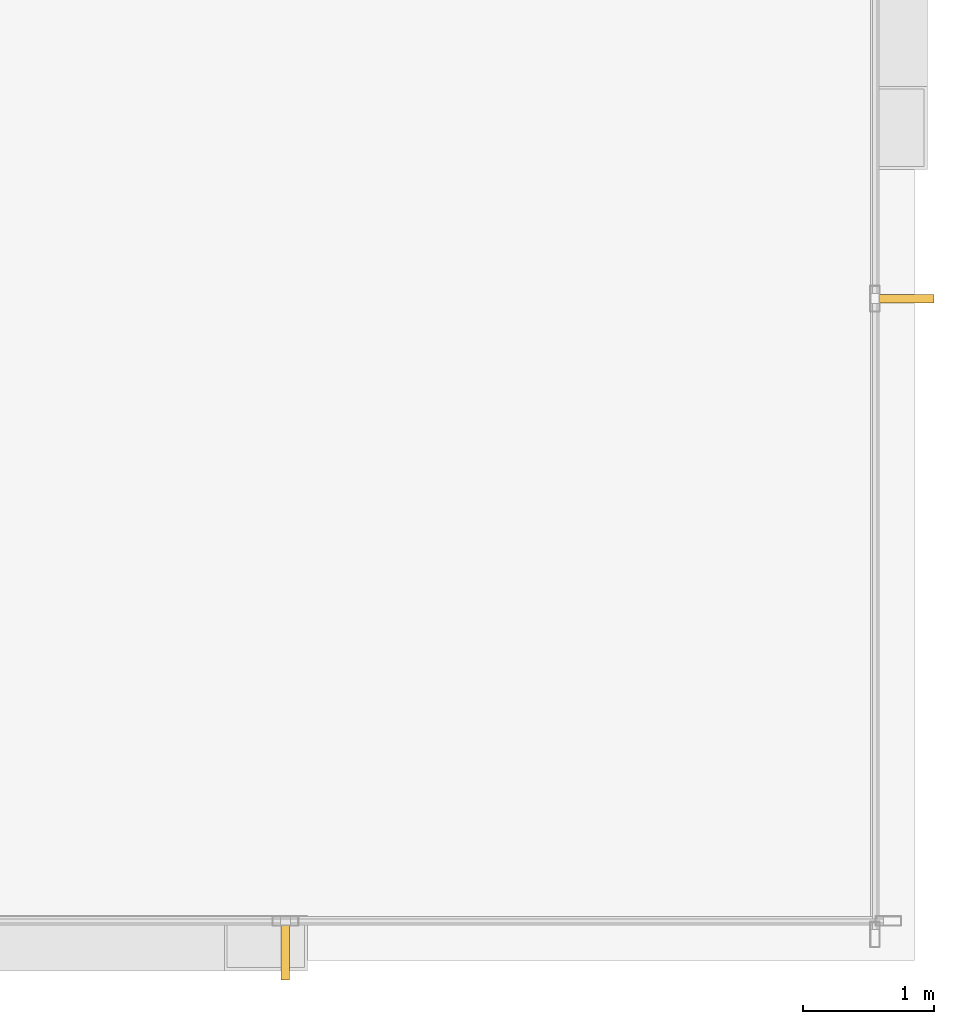
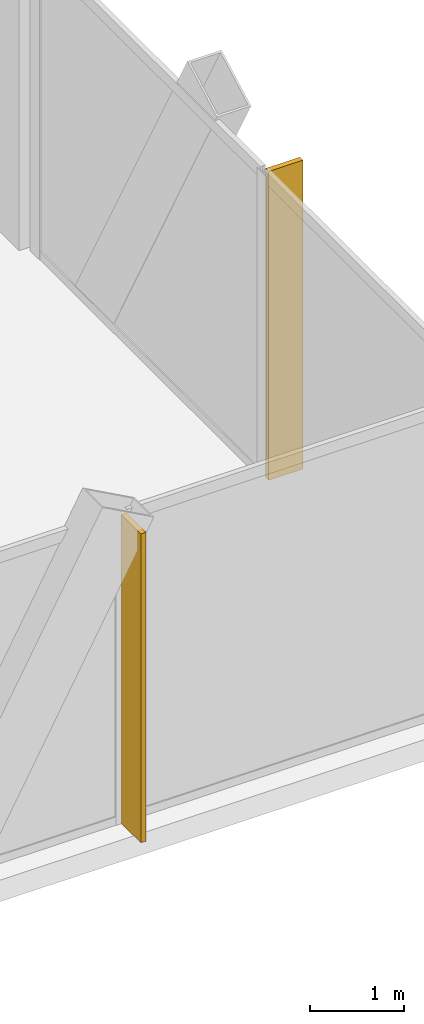
# One storey, part 38 of 42: 2 shading devices.
"""IFC4 building model written with IfcOpenShell, lengths in metres."""

from ifc_helpers import new_model, si_unit, direction, frame, origin, origin_2d, place, context, subcontext, project, spatial, rectangle, extrude, material, layer, layer_set, type_object, element, save


model = new_model("IFC4")

# Units and contexts
model_context = context("Model", 3, precision=1e-05, world=origin(), true_north=direction((0.0, 1.0)))
body_context = subcontext(model_context, "Body", "Model", "MODEL_VIEW")
ifc_project = project(units=[si_unit("LENGTHUNIT", "METRE"), si_unit("AREAUNIT", "SQUARE_METRE"), si_unit("VOLUMEUNIT", "CUBIC_METRE"), si_unit("PLANEANGLEUNIT", "RADIAN"), si_unit("MASSUNIT", "GRAM", prefix="KILO")], contexts=[model_context])

# Site, building, storey
site_placement = place(None, origin())
site = spatial("IfcSite", under=ifc_project, at=site_placement, CompositionType="ELEMENT")
building_placement = place(site_placement, origin())
building = spatial("IfcBuilding", under=site, at=building_placement, Name="Orvanel Arch Residences", CompositionType="ELEMENT")
storey_placement = place(building_placement, frame((0.0, 0.0, 9.800048828125)))
storey = spatial("IfcBuildingStorey", under=building, at=storey_placement, Name="L02", CompositionType="ELEMENT", Elevation=9.800048828125)

# Shading devices
ifc_material = material(Name="Bronze-anodised aluminium AA6063-T6", Category="aluminium")
ifc_layer = layer(ifc_material, 0.06494140625)
ifc_layer_set = layer_set([ifc_layer], Name="Bronze-anodised aluminium AA6063-T6")
shading_device_type = type_object("IfcShadingDeviceType", Name="FIN-BRZ-420", PredefinedType="USERDEFINED", material=ifc_layer_set)
for number, where, z_axis, x_axis, name in (
    (1, (59.965087890625, 0.510009765625, 0.0), (0.0, 0.0, 1.0), (0.0, -1.0, 0.0), "L02 Anodised Bronze Mullion FIN 01"),
    (2, (64.68994140625, 5.485107421875, 0.0), (0.0, 0.0, 1.0), (1.0, 0.0, 0.0), "L02 Anodised Bronze Mullion FIN 01"),
):
    element("IfcShadingDevice", number, at=place(storey_placement, frame(where, z_axis=z_axis, x_axis=x_axis)), inside=storey, type_object=shading_device_type, Name=name, ObjectType="FIN", PredefinedType="USERDEFINED", context=body_context, shape_type="SweptSolid", body=[
        extrude(rectangle(XDim=0.419921875, YDim=0.06494140625, at=origin_2d()), origin(), (0.0, 0.0, 1.0), 4.02001953125),
    ])

save(model, "model.ifc")
